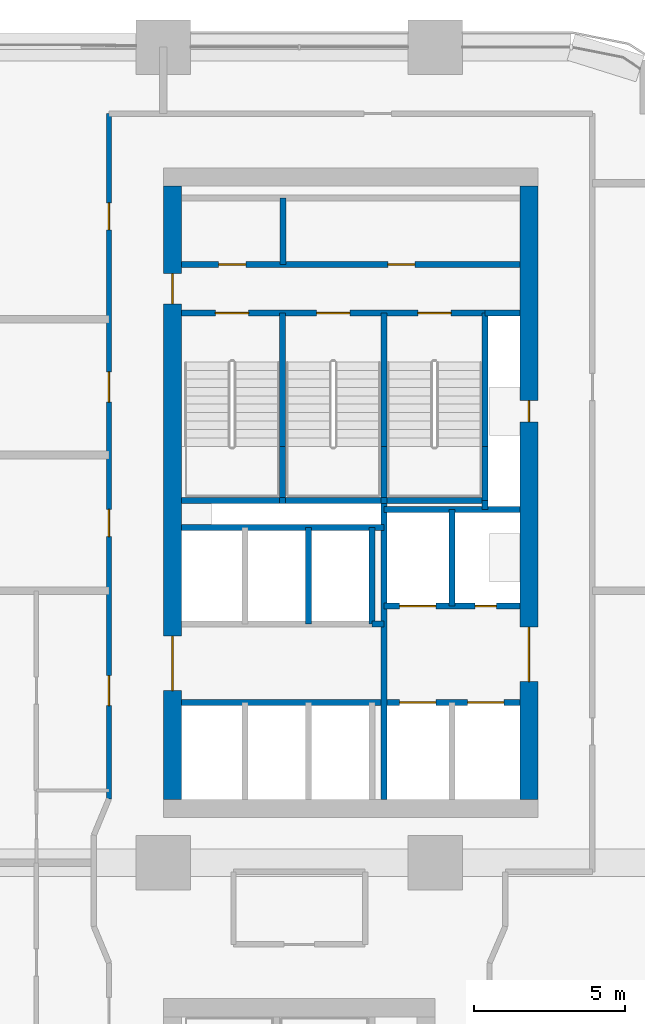
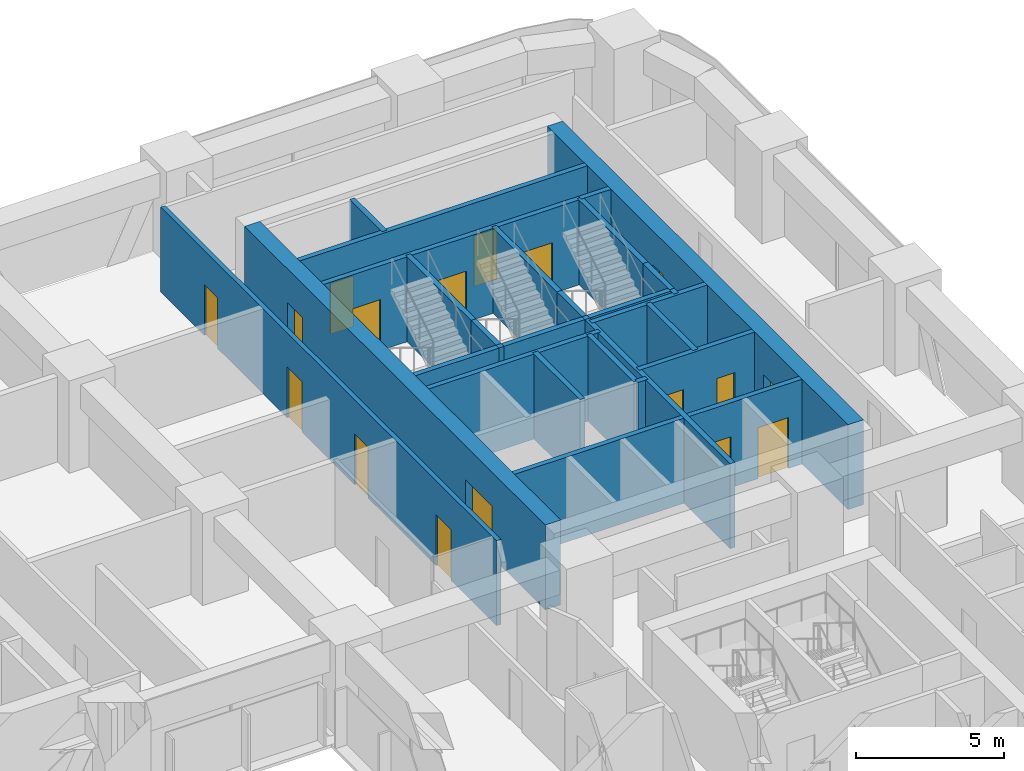
# One storey, part 15 of 18: 28 walls, 17 doors, 17 openings.
"""IFC4 building model written with IfcOpenShell, lengths in metres."""

import ifcopenshell
import ifcopenshell.guid

model = None  # the IFC model being written
_history = None  # IfcOwnerHistory: only IFC2X3 demands one
_inside = {}  # id of a spatial element -> (the spatial element, [elements in it])
_under = {}  # id of a project, library or spatial element -> (it, [spatial elements below it])
_declared = {}  # id of a project -> (the project, [libraries it declares])
_typed = {}  # id of a type object -> (the type object, [elements of that type])
_made_of = {}  # id of a material, layer set ... -> (it, [elements and type objects made of it])


def new_model(schema):
    """Start an empty IFC model of exactly this schema.

    Asked for "IFC4X3", IfcOpenShell would pick the latest addendum, in which some entities
    have other attributes; the version numbers below select the first issue.
    IFC2X3 requires an IfcOwnerHistory on every rooted entity: one is made here for all.
    """
    global model, _history
    if schema == "IFC4X3":
        model = ifcopenshell.file(schema_version=(4, 3, 0, 0))
    else:
        model = ifcopenshell.file(schema=schema)
    _inside.clear()
    _under.clear()
    _declared.clear()
    _typed.clear()
    _made_of.clear()
    _history = None
    if model.schema == "IFC2X3":
        org = make("IfcOrganization", Name="unknown")
        user = make(
            "IfcPersonAndOrganization",
            ThePerson=make("IfcPerson", FamilyName="unknown"),
            TheOrganization=org,
        )
        app = make(
            "IfcApplication",
            ApplicationDeveloper=org,
            Version="unknown",
            ApplicationFullName="unknown",
            ApplicationIdentifier="unknown",
        )
        _history = make(
            "IfcOwnerHistory",
            OwningUser=user,
            OwningApplication=app,
            ChangeAction="ADDED",
            CreationDate=0,
        )
    return model


def make(cls, **values):
    """One entity of the class cls with the attributes given. An attribute that is None is left unset."""
    return model.create_entity(
        cls, **{name: value for name, value in values.items() if value is not None}
    )


def rooted(cls, **values):
    """An entity with a GlobalId (a new one), such as an element, a storey or a relation."""
    return make(cls, GlobalId=ifcopenshell.guid.new(), OwnerHistory=_history, **values)


def si_unit(unit_type, name, prefix=None):
    """IfcSIUnit, for example si_unit("LENGTHUNIT", "METRE", prefix="MILLI")."""
    return make("IfcSIUnit", UnitType=unit_type, Prefix=prefix, Name=name)


def assignment(units):
    """IfcUnitAssignment: the units of a project."""
    return None if units is None else make("IfcUnitAssignment", Units=units)


def point(xyz):
    """IfcCartesianPoint."""
    return None if xyz is None else make("IfcCartesianPoint", Coordinates=xyz)


def direction(xyz):
    """IfcDirection."""
    return None if xyz is None else make("IfcDirection", DirectionRatios=xyz)


def frame(location, z_axis=None, x_axis=None):
    """IfcAxis2Placement3D, a coordinate frame: its origin and axes. An axis left out is left unset."""
    return make(
        "IfcAxis2Placement3D",
        Location=point(location),
        Axis=direction(z_axis),
        RefDirection=direction(x_axis),
    )


def frame_2d(location, x_axis=None):
    """IfcAxis2Placement2D, a coordinate frame in the plane: its origin and x axis."""
    return make(
        "IfcAxis2Placement2D", Location=point(location), RefDirection=direction(x_axis)
    )


def origin():
    """The frame at (0, 0, 0) with its axes left unset."""
    return frame((0.0, 0.0, 0.0))


def place(relative_to, where):
    """IfcLocalPlacement: puts the frame where relative to a parent placement (None: the world)."""
    return make(
        "IfcLocalPlacement", PlacementRelTo=relative_to, RelativePlacement=where
    )


def context(
    kind, dimensions, precision=None, world=None, true_north=None, identifier=None
):
    """IfcGeometricRepresentationContext, for example the 3D "Model" context."""
    return make(
        "IfcGeometricRepresentationContext",
        ContextIdentifier=identifier,
        ContextType=kind,
        CoordinateSpaceDimension=dimensions,
        Precision=precision,
        WorldCoordinateSystem=world,
        TrueNorth=true_north,
    )


def subcontext(parent, identifier, kind, view, scale=None):
    """IfcGeometricRepresentationSubContext, for example "Body" below "Model"."""
    return make(
        "IfcGeometricRepresentationSubContext",
        ContextIdentifier=identifier,
        ContextType=kind,
        ParentContext=parent,
        TargetScale=scale,
        TargetView=view,
    )


def project(units=None, contexts=None):
    """IfcProject with its units and contexts."""
    return rooted(
        "IfcProject",
        Name="project",
        RepresentationContexts=contexts,
        UnitsInContext=assignment(units),
    )


def spatial(cls, under=None, at=None, **own):
    """A site, building, storey or space (cls), placed at a placement, below another one or the project."""
    s = rooted(cls, ObjectPlacement=at, **own)
    if under is not None:
        _under.setdefault(under.id(), (under, []))[1].append(s)
    return s


def profile(cls, at=None, kind="AREA", **sizes):
    """A parametric profile (cls). Its sizes go by their IFC names, for example OverallWidth=200.0."""
    return make(cls, ProfileType=kind, Position=at, **sizes)


def rectangle(**sizes):
    """IfcRectangleProfileDef."""
    return profile("IfcRectangleProfileDef", **sizes)


def extrude(swept, where, along, depth):
    """IfcExtrudedAreaSolid: the profile swept, set in the frame where, extruded along a direction by depth."""
    return make(
        "IfcExtrudedAreaSolid",
        SweptArea=swept,
        Position=where,
        ExtrudedDirection=direction(along),
        Depth=depth,
    )


def shape(context_of_items, identifier, shape_type, items):
    """IfcShapeRepresentation: the items that make up one representation, for example the "Body"."""
    return make(
        "IfcShapeRepresentation",
        ContextOfItems=context_of_items,
        RepresentationIdentifier=identifier,
        RepresentationType=shape_type,
        Items=items,
    )


def material(Name=None, Category=None):
    """IfcMaterial."""
    return make("IfcMaterial", Name=Name, Category=Category)


def layer(
    of_material, thickness, ventilated=None, Name=None, Category=None, Priority=None
):
    """IfcMaterialLayer: one layer of a wall or slab, of a material (None: an air gap)."""
    return make(
        "IfcMaterialLayer",
        Material=of_material,
        LayerThickness=thickness,
        IsVentilated=ventilated,
        Name=Name,
        Category=Category,
        Priority=Priority,
    )


def layer_set(layers, Name=None):
    """IfcMaterialLayerSet."""
    return make("IfcMaterialLayerSet", MaterialLayers=layers, LayerSetName=Name)


def made_of(thing, what):
    """Note that an element or type object is made of a material, layer set ...; save() writes the relation."""
    if what is not None:
        _made_of.setdefault(what.id(), (what, []))[1].append(thing)
    return thing


def type_object(cls, material=None, **own):
    """A type object (cls), such as IfcWallType, which elements share."""
    return made_of(rooted(cls, **own), material)


def element(
    cls,
    number,
    at=None,
    inside=None,
    cuts=None,
    type_object=None,
    material=None,
    context=None,
    identifier="Body",
    shape_type=None,
    held_by="IfcProductDefinitionShape",
    body=None,
    shapes=None,
    **own,
):
    """One element of the class cls, such as IfcWall. Its Tag is "e" and its number.

    at: its placement. inside: the storey or other place that contains it. cuts: it is an
    opening in that element (IfcRelVoidsElement). A single representation is given by context,
    identifier, shape_type and body (its items); several are given by shapes. held_by: the class
    of the entity that holds the representations. save() writes the other relations.
    """
    e = rooted(cls, Tag="e%d" % number, ObjectPlacement=at, **own)
    if body is not None:
        shapes = [shape(context, identifier, shape_type, body)]
    if shapes is not None:
        e.Representation = make(held_by, Representations=shapes)
    if inside is not None:
        _inside.setdefault(inside.id(), (inside, []))[1].append(e)
    if cuts is not None:
        rooted(
            "IfcRelVoidsElement", RelatingBuildingElement=cuts, RelatedOpeningElement=e
        )
    if type_object is not None:
        _typed.setdefault(type_object.id(), (type_object, []))[1].append(e)
    return made_of(e, material)


def fill(opening, filler):
    """IfcRelFillsElement: the door or window that sits in an opening."""
    return rooted(
        "IfcRelFillsElement",
        RelatingOpeningElement=opening,
        RelatedBuildingElement=filler,
    )


def aggregate(whole, parts):
    """IfcRelAggregates: a whole, such as a stair, and the parts it consists of."""
    return rooted("IfcRelAggregates", RelatingObject=whole, RelatedObjects=parts)


def save(model, path):
    """Write the relations noted so far, then the file.

    IfcRelAggregates (storeys below a building ...), IfcRelContainedInSpatialStructure (elements
    in a storey), IfcRelDefinesByType, IfcRelAssociatesMaterial and IfcRelDeclares: one each for
    every whole, place, type object, material and project.
    """
    for whole, parts in _under.values():
        aggregate(whole, parts)
    for where, things in _inside.values():
        rooted(
            "IfcRelContainedInSpatialStructure",
            RelatedElements=things,
            RelatingStructure=where,
        )
    for kind, things in _typed.values():
        rooted("IfcRelDefinesByType", RelatedObjects=things, RelatingType=kind)
    for what, things in _made_of.values():
        rooted("IfcRelAssociatesMaterial", RelatedObjects=things, RelatingMaterial=what)
    for by, libraries in _declared.values():
        rooted("IfcRelDeclares", RelatingContext=by, RelatedDefinitions=libraries)
    model.write(path)


model = new_model("IFC4")

# Units and contexts
model_context = context("Model", 3, precision=1e-05, world=origin(), true_north=direction((0.0, 1.0)))
body_context = subcontext(model_context, "Body", "Model", "MODEL_VIEW")
ifc_project = project(units=[si_unit("LENGTHUNIT", "METRE"), si_unit("AREAUNIT", "SQUARE_METRE"), si_unit("VOLUMEUNIT", "CUBIC_METRE"), si_unit("PLANEANGLEUNIT", "RADIAN"), si_unit("MASSUNIT", "GRAM", prefix="KILO")], contexts=[model_context])

# Site, building, storey
site_placement = place(None, origin())
site = spatial("IfcSite", under=ifc_project, at=site_placement, CompositionType="ELEMENT")
building_placement = place(site_placement, origin())
building = spatial("IfcBuilding", under=site, at=building_placement, Name="Tessera Arch", CompositionType="ELEMENT")
storey_placement = place(building_placement, frame((0.0, 0.0, 104.39990234375)))
storey = spatial("IfcBuildingStorey", under=building, at=storey_placement, Name="L24", CompositionType="ELEMENT", Elevation=104.39990234375)

# Walls
ifc_material_1 = material(Name="Gypsum board on steel stud", Category="steel")
ifc_layer_1 = layer(ifc_material_1, 0.125)
ifc_layer_set_1 = layer_set([ifc_layer_1], Name="Core partition 125 EI 60")
wall_type_1 = type_object("IfcWallType", Name="Core partition 125 EI 60", PredefinedType="PARTITIONING", material=ifc_layer_set_1)
wall_1_placement = place(storey_placement, frame((39.9599609375, 46.800048828125, 0.0), z_axis=(0.0, 0.0, 1.0), x_axis=(0.0, 1.0, 0.0)))
element("IfcWall", 1, at=wall_1_placement, inside=storey, type_object=wall_type_1, Name="L24 C1 partition wall 5", PredefinedType="PARTITIONING", context=body_context, shape_type="SweptSolid", body=[
    extrude(rectangle(XDim=2.199951171875, YDim=0.199951171875, at=frame_2d((1.10009765625, 0.0))), origin(), (0.0, 0.0, 1.0), 3.5),
])
wall_2_placement = place(storey_placement, frame((42.89990234375, 34.89990234375, 0.0), z_axis=(0.0, 0.0, 1.0), x_axis=(1.0, 0.0, 0.0)))
element("IfcWall", 2, at=wall_2_placement, inside=storey, type_object=wall_type_1, Name="L24 C1 partition wall 19", PredefinedType="PARTITIONING", context=body_context, shape_type="SweptSolid", body=[
    extrude(rectangle(XDim=0.400146484375, YDim=0.199951171875, at=frame_2d((0.2001953125, 0.0))), origin(), (0.0, 0.0, 1.0), 3.5),
])

# Wall, openings, doors
wall_3_placement = place(storey_placement, frame((36.60009765625, 46.800048828125, 0.0), z_axis=(0.0, 0.0, 1.0), x_axis=(1.0, 0.0, 0.0)))
wall_3 = element("IfcWall", 3, at=wall_3_placement, inside=storey, type_object=wall_type_1, Name="L24 C1 partition wall 31", PredefinedType="PARTITIONING", context=body_context, shape_type="SweptSolid", body=[
    extrude(rectangle(XDim=11.199951171875, YDim=0.199951171875, at=frame_2d((5.60009765625, 0.0))), origin(), (0.0, 0.0, 1.0), 3.5),
])
opening_1_placement = place(wall_3_placement, frame((1.22998046875, 0.0, 0.0)))
opening_1 = element("IfcOpeningElement", 4, at=opening_1_placement, cuts=wall_3, Name="Opening L24-C12", PredefinedType="OPENING", context=body_context, shape_type="SweptSolid", body=[
    extrude(rectangle(XDim=0.89990234375, YDim=2.10009765625, at=frame_2d((0.449951171875, 1.050048828125))), frame((0.0, 0.10986328125, 0.0), z_axis=(0.0, -1.0, 0.0), x_axis=(1.0, 0.0, 0.0)), (0.0, 0.0, 1.0), 0.219970703125),
])
opening_2_placement = place(wall_3_placement, frame((6.830078125, 0.0, 0.0)))
opening_2 = element("IfcOpeningElement", 5, at=opening_2_placement, cuts=wall_3, Name="Opening L24-C13", PredefinedType="OPENING", context=body_context, shape_type="SweptSolid", body=[
    extrude(rectangle(XDim=0.89990234375, YDim=2.10009765625, at=frame_2d((0.449951171875, 1.050048828125))), frame((0.0, 0.10986328125, 0.0), z_axis=(0.0, -1.0, 0.0), x_axis=(1.0, 0.0, 0.0)), (0.0, 0.0, 1.0), 0.219970703125),
])
ifc_material_2 = material(Name="Steel door leaf", Category="steel")
door_type_1 = type_object("IfcDoorType", Name="Store door FD30S 900 x 2100", OperationType="SINGLE_SWING_LEFT", PredefinedType="DOOR", material=ifc_material_2)
door_1_placement = place(opening_1_placement, origin())
door_1 = element("IfcDoor", 6, at=door_1_placement, inside=storey, type_object=door_type_1, Name="L24 C1 door 12 C12 type D09", OperationType="SINGLE_SWING_LEFT", OverallHeight=2.10009765625, OverallWidth=0.89990234375, PredefinedType="DOOR", context=body_context, shape_type="SweptSolid", body=[
    extrude(rectangle(XDim=0.89990234375, YDim=2.10009765625, at=frame_2d((0.449951171875, 1.050048828125))), frame((0.0, 0.02490234375, 0.0), z_axis=(0.0, -1.0, 0.0), x_axis=(1.0, 0.0, 0.0)), (0.0, 0.0, 1.0), 0.050048828125),
])
fill(opening_1, door_1)
door_2_placement = place(opening_2_placement, origin())
door_2 = element("IfcDoor", 7, at=door_2_placement, inside=storey, type_object=door_type_1, Name="L24 C1 door 13 C13 type D09", OperationType="SINGLE_SWING_RIGHT", OverallHeight=2.10009765625, OverallWidth=0.89990234375, PredefinedType="DOOR", context=body_context, shape_type="SweptSolid", body=[
    extrude(rectangle(XDim=0.89990234375, YDim=2.10009765625, at=frame_2d((0.449951171875, 1.050048828125))), frame((0.0, 0.02490234375, 0.0), z_axis=(0.0, -1.0, 0.0), x_axis=(1.0, 0.0, 0.0)), (0.0, 0.0, 1.0), 0.050048828125),
])
fill(opening_2, door_2)

ifc_material_3 = material(Name="Concrete C70/85", Category="concrete")
ifc_layer_2 = layer(ifc_material_3, 0.60009765625)
ifc_layer_set_2 = layer_set([ifc_layer_2], Name="Core shell wall 600 C70-85")
wall_type_2 = type_object("IfcWallType", Name="Core shell wall 600 C70-85", PredefinedType="SHEAR", material=ifc_layer_set_2)
wall_4_placement = place(storey_placement, frame((36.300048828125, 29.10009765625, 0.0), z_axis=(0.0, 0.0, 1.0), x_axis=(0.0, 1.0, 0.0)))
wall_4 = element("IfcWall", 8, at=wall_4_placement, inside=storey, type_object=wall_type_2, Name="L24 C1 core wall W", PredefinedType="SHEAR", context=body_context, shape_type="SweptSolid", body=[
    extrude(rectangle(XDim=20.2998046875, YDim=0.60009765625, at=frame_2d((10.14990234375, 0.0))), origin(), (0.0, 0.0, 1.0), 3.5),
])
opening_3_placement = place(wall_4_placement, frame((3.60009765625, 0.0, 0.0)))
opening_3 = element("IfcOpeningElement", 9, at=opening_3_placement, cuts=wall_4, Name="Opening L24-C04", PredefinedType="OPENING", context=body_context, shape_type="SweptSolid", body=[
    extrude(rectangle(XDim=1.800048828125, YDim=2.10009765625, at=frame_2d((0.89990234375, 1.050048828125))), frame((0.0, 0.31005859375, 0.0), z_axis=(0.0, -1.0, 0.0), x_axis=(1.0, 0.0, 0.0)), (0.0, 0.0, 1.0), 0.6201171875),
])
opening_4_placement = place(wall_4_placement, frame((16.39990234375, 0.0, 0.0)))
opening_4 = element("IfcOpeningElement", 10, at=opening_4_placement, cuts=wall_4, Name="Opening L24-C11", PredefinedType="OPENING", context=body_context, shape_type="SweptSolid", body=[
    extrude(rectangle(XDim=1.0, YDim=2.10009765625, at=frame_2d((0.5, 1.050048828125))), frame((0.0, 0.31005859375, 0.0), z_axis=(0.0, -1.0, 0.0), x_axis=(1.0, 0.0, 0.0)), (0.0, 0.0, 1.0), 0.6201171875),
])
ifc_material_4 = material(Name="Steel door leaf", Category="steel")
door_type_2 = type_object("IfcDoorType", Name="Corridor door FD60 1000 x 2100", OperationType="SINGLE_SWING_LEFT", PredefinedType="DOOR", material=ifc_material_4)
door_3_placement = place(opening_4_placement, origin())
door_3 = element("IfcDoor", 11, at=door_3_placement, inside=storey, type_object=door_type_2, Name="L24 C1 door 11 C11 type D12", OperationType="SINGLE_SWING_RIGHT", OverallHeight=2.10009765625, OverallWidth=1.0, PredefinedType="DOOR", context=body_context, shape_type="SweptSolid", body=[
    extrude(rectangle(XDim=1.0, YDim=2.10009765625, at=frame_2d((0.5, 1.050048828125))), frame((0.0, 0.02490234375, 0.0), z_axis=(0.0, -1.0, 0.0), x_axis=(1.0, 0.0, 0.0)), (0.0, 0.0, 1.0), 0.050048828125),
])
fill(opening_4, door_3)
ifc_material_5 = material(Name="Glazed steel door leaf", Category="steel")
door_type_3 = type_object("IfcDoorType", Name="Lobby double door FD30S 1800 x 2100", OperationType="DOUBLE_DOOR_SINGLE_SWING", PredefinedType="DOOR", material=ifc_material_5)
door_4_placement = place(opening_3_placement, origin())
door_4 = element("IfcDoor", 12, at=door_4_placement, inside=storey, type_object=door_type_3, Name="L24 C1 door 4 C04 type D06", OperationType="DOUBLE_DOOR_SINGLE_SWING", OverallHeight=2.10009765625, OverallWidth=1.800048828125, PredefinedType="DOOR", context=body_context, shape_type="SweptSolid", body=[
    extrude(rectangle(XDim=1.800048828125, YDim=2.10009765625, at=frame_2d((0.89990234375, 1.050048828125))), frame((0.0, 0.02490234375, 0.0), z_axis=(0.0, -1.0, 0.0), x_axis=(1.0, 0.0, 0.0)), (0.0, 0.0, 1.0), 0.050048828125),
])
fill(opening_3, door_4)

wall_5_placement = place(storey_placement, frame((48.10009765625, 29.10009765625, 0.0), z_axis=(0.0, 0.0, 1.0), x_axis=(0.0, 1.0, 0.0)))
wall_5 = element("IfcWall", 13, at=wall_5_placement, inside=storey, type_object=wall_type_2, Name="L24 C1 core wall E", PredefinedType="SHEAR", context=body_context, shape_type="SweptSolid", body=[
    extrude(rectangle(XDim=20.2998046875, YDim=0.60009765625, at=frame_2d((10.14990234375, 0.0))), origin(), (0.0, 0.0, 1.0), 3.5),
])
opening_5_placement = place(wall_5_placement, frame((12.5, 0.0, 0.0)))
opening_5 = element("IfcOpeningElement", 14, at=opening_5_placement, cuts=wall_5, Name="Opening L24-C08", PredefinedType="OPENING", context=body_context, shape_type="SweptSolid", body=[
    extrude(rectangle(XDim=0.699951171875, YDim=2.10009765625, at=frame_2d((0.35009765625, 1.050048828125))), frame((0.0, 0.31005859375, 0.0), z_axis=(0.0, -1.0, 0.0), x_axis=(1.0, 0.0, 0.0)), (0.0, 0.0, 1.0), 0.6201171875),
])
opening_6_placement = place(wall_5_placement, frame((3.89990234375, 0.0, 0.0)))
opening_6 = element("IfcOpeningElement", 15, at=opening_6_placement, cuts=wall_5, Name="Opening L24-C09", PredefinedType="OPENING", context=body_context, shape_type="SweptSolid", body=[
    extrude(rectangle(XDim=1.800048828125, YDim=2.10009765625, at=frame_2d((0.89990234375, 1.050048828125))), frame((0.0, 0.31005859375, 0.0), z_axis=(0.0, -1.0, 0.0), x_axis=(1.0, 0.0, 0.0)), (0.0, 0.0, 1.0), 0.6201171875),
])
ifc_material_6 = material(Name="Glazed steel door leaf", Category="steel")
door_type_4 = type_object("IfcDoorType", Name="Lobby double door FD60 1800 x 2100", OperationType="DOUBLE_DOOR_SINGLE_SWING", PredefinedType="DOOR", material=ifc_material_6)
door_5_placement = place(opening_6_placement, origin())
door_5 = element("IfcDoor", 16, at=door_5_placement, inside=storey, type_object=door_type_4, Name="L24 C1 door 9 C09 type D19", OperationType="DOUBLE_DOOR_SINGLE_SWING", OverallHeight=2.10009765625, OverallWidth=1.800048828125, PredefinedType="DOOR", context=body_context, shape_type="SweptSolid", body=[
    extrude(rectangle(XDim=1.800048828125, YDim=2.10009765625, at=frame_2d((0.89990234375, 1.050048828125))), frame((0.0, 0.02490234375, 0.0), z_axis=(0.0, -1.0, 0.0), x_axis=(1.0, 0.0, 0.0)), (0.0, 0.0, 1.0), 0.050048828125),
])
fill(opening_6, door_5)
ifc_material_7 = material(Name="Steel door leaf", Category="steel")
door_type_5 = type_object("IfcDoorType", Name="Service shaft door FD60 700 x 2100", OperationType="SINGLE_SWING_LEFT", PredefinedType="DOOR", material=ifc_material_7)
door_6_placement = place(opening_5_placement, origin())
door_6 = element("IfcDoor", 17, at=door_6_placement, inside=storey, type_object=door_type_5, Name="L24 C1 door 8 C08 type D07", OperationType="SINGLE_SWING_RIGHT", OverallHeight=2.10009765625, OverallWidth=0.699951171875, PredefinedType="DOOR", context=body_context, shape_type="SweptSolid", body=[
    extrude(rectangle(XDim=0.699951171875, YDim=2.10009765625, at=frame_2d((0.35009765625, 1.050048828125))), frame((0.0, 0.02490234375, 0.0), z_axis=(0.0, -1.0, 0.0), x_axis=(1.0, 0.0, 0.0)), (0.0, 0.0, 1.0), 0.050048828125),
])
fill(opening_5, door_6)

ifc_material_8 = material(Name="Gypsum board on deep steel stud with mineral wool", Category="steel")
ifc_layer_3 = layer(ifc_material_8, 0.175048828125)
ifc_layer_set_3 = layer_set([ifc_layer_3], Name="Corridor wall 175 EI 60")
wall_type_3 = type_object("IfcWallType", Name="Corridor wall 175 EI 60", PredefinedType="PARTITIONING", material=ifc_layer_set_3)
wall_6_placement = place(storey_placement, frame((34.199951171875, 29.1201171875, 0.0), z_axis=(0.0, 0.0, 1.0), x_axis=(0.0, 1.0, 0.0)))
wall_6 = element("IfcWall", 18, at=wall_6_placement, inside=storey, type_object=wall_type_3, Name="L24 partition 13", PredefinedType="PARTITIONING", context=body_context, shape_type="SweptSolid", body=[
    extrude(rectangle(XDim=22.679931640625, YDim=0.175048828125, at=frame_2d((11.33984375, 0.0))), origin(), (0.0, 0.0, 1.0), 3.5),
])
opening_7_placement = place(wall_6_placement, frame((3.080078125, 0.0, 0.0)))
opening_7 = element("IfcOpeningElement", 19, at=opening_7_placement, cuts=wall_6, Name="Opening L24-D022", PredefinedType="OPENING", context=body_context, shape_type="SweptSolid", body=[
    extrude(rectangle(XDim=1.0, YDim=2.10009765625, at=frame_2d((0.5, 1.050048828125))), frame((0.0, 0.097412109375, 0.0), z_axis=(0.0, -1.0, 0.0), x_axis=(1.0, 0.0, 0.0)), (0.0, 0.0, 1.0), 0.195068359375),
])
opening_8_placement = place(wall_6_placement, frame((8.679931640625, 0.0, 0.0)))
opening_8 = element("IfcOpeningElement", 20, at=opening_8_placement, cuts=wall_6, Name="Opening L24-D025", PredefinedType="OPENING", context=body_context, shape_type="SweptSolid", body=[
    extrude(rectangle(XDim=0.89990234375, YDim=2.10009765625, at=frame_2d((0.449951171875, 1.050048828125))), frame((0.0, 0.097412109375, 0.0), z_axis=(0.0, -1.0, 0.0), x_axis=(1.0, 0.0, 0.0)), (0.0, 0.0, 1.0), 0.195068359375),
])
opening_9_placement = place(wall_6_placement, frame((13.1298828125, 0.0, 0.0)))
opening_9 = element("IfcOpeningElement", 21, at=opening_9_placement, cuts=wall_6, Name="Opening L24-D028", PredefinedType="OPENING", context=body_context, shape_type="SweptSolid", body=[
    extrude(rectangle(XDim=1.0, YDim=2.10009765625, at=frame_2d((0.5, 1.050048828125))), frame((0.0, 0.097412109375, 0.0), z_axis=(0.0, -1.0, 0.0), x_axis=(1.0, 0.0, 0.0)), (0.0, 0.0, 1.0), 0.195068359375),
])
opening_10_placement = place(wall_6_placement, frame((18.830078125, 0.0, 0.0)))
opening_10 = element("IfcOpeningElement", 22, at=opening_10_placement, cuts=wall_6, Name="Opening L24-D032", PredefinedType="OPENING", context=body_context, shape_type="SweptSolid", body=[
    extrude(rectangle(XDim=0.89990234375, YDim=2.10009765625, at=frame_2d((0.449951171875, 1.050048828125))), frame((0.0, 0.097412109375, 0.0), z_axis=(0.0, -1.0, 0.0), x_axis=(1.0, 0.0, 0.0)), (0.0, 0.0, 1.0), 0.195068359375),
])
ifc_material_9 = material(Name="Fire-rated door leaf")
door_type_6 = type_object("IfcDoorType", Name="Entrance door FD30S 1000 x 2100", OperationType="SINGLE_SWING_LEFT", PredefinedType="DOOR", material=ifc_material_9)
door_7_placement = place(opening_7_placement, origin())
door_7 = element("IfcDoor", 23, at=door_7_placement, inside=storey, type_object=door_type_6, Name="L24 door D022 type D03", OperationType="SINGLE_SWING_RIGHT", OverallHeight=2.10009765625, OverallWidth=1.0, PredefinedType="DOOR", context=body_context, shape_type="SweptSolid", body=[
    extrude(rectangle(XDim=1.0, YDim=2.10009765625, at=frame_2d((0.5, 1.050048828125))), frame((0.0, 0.02490234375, 0.0), z_axis=(0.0, -1.0, 0.0), x_axis=(1.0, 0.0, 0.0)), (0.0, 0.0, 1.0), 0.050048828125),
])
fill(opening_7, door_7)
door_8_placement = place(opening_9_placement, origin())
door_8 = element("IfcDoor", 24, at=door_8_placement, inside=storey, type_object=door_type_6, Name="L24 door D028 type D03", OperationType="SINGLE_SWING_RIGHT", OverallHeight=2.10009765625, OverallWidth=1.0, PredefinedType="DOOR", context=body_context, shape_type="SweptSolid", body=[
    extrude(rectangle(XDim=1.0, YDim=2.10009765625, at=frame_2d((0.5, 1.050048828125))), frame((0.0, 0.02490234375, 0.0), z_axis=(0.0, -1.0, 0.0), x_axis=(1.0, 0.0, 0.0)), (0.0, 0.0, 1.0), 0.050048828125),
])
fill(opening_9, door_8)
ifc_material_10 = material(Name="Timber door leaf", Category="wood")
door_type_7 = type_object("IfcDoorType", Name="Room door 900 x 2100", OperationType="SINGLE_SWING_LEFT", PredefinedType="DOOR", material=ifc_material_10)
door_9_placement = place(opening_8_placement, origin())
door_9 = element("IfcDoor", 25, at=door_9_placement, inside=storey, type_object=door_type_7, Name="L24 door D025 type D01", OperationType="SINGLE_SWING_LEFT", OverallHeight=2.10009765625, OverallWidth=0.89990234375, PredefinedType="DOOR", context=body_context, shape_type="SweptSolid", body=[
    extrude(rectangle(XDim=0.89990234375, YDim=2.10009765625, at=frame_2d((0.449951171875, 1.050048828125))), frame((0.0, 0.02490234375, 0.0), z_axis=(0.0, -1.0, 0.0), x_axis=(1.0, 0.0, 0.0)), (0.0, 0.0, 1.0), 0.050048828125),
])
fill(opening_8, door_9)
door_10_placement = place(opening_10_placement, origin())
door_10 = element("IfcDoor", 26, at=door_10_placement, inside=storey, type_object=door_type_7, Name="L24 door D032 type D01", OperationType="SINGLE_SWING_RIGHT", OverallHeight=2.10009765625, OverallWidth=0.89990234375, PredefinedType="DOOR", context=body_context, shape_type="SweptSolid", body=[
    extrude(rectangle(XDim=0.89990234375, YDim=2.10009765625, at=frame_2d((0.449951171875, 1.050048828125))), frame((0.0, 0.02490234375, 0.0), z_axis=(0.0, -1.0, 0.0), x_axis=(1.0, 0.0, 0.0)), (0.0, 0.0, 1.0), 0.050048828125),
])
fill(opening_10, door_10)

# Walls
ifc_material_11 = material(Name="Concrete C40/50", Category="concrete")
ifc_layer_4 = layer(ifc_material_11, 0.199951171875)
ifc_layer_set_4 = layer_set([ifc_layer_4], Name="Shaft wall 200 EI 120")
wall_type_4 = type_object("IfcWallType", Name="Shaft wall 200 EI 120", PredefinedType="SOLIDWALL", material=ifc_layer_set_4)
for number, where, z_axis, x_axis, name in (
    (27, (40.800048828125, 34.89990234375, 0.0), (0.0, 0.0, 1.0), (0.0, 1.0, 0.0), "L24 C1 shaft wall 7"),
    (28, (42.89990234375, 34.89990234375, 0.0), (0.0, 0.0, 1.0), (0.0, 1.0, 0.0), "L24 C1 shaft wall 9"),
):
    element("IfcWall", number, at=place(storey_placement, frame(where, z_axis=z_axis, x_axis=x_axis)), inside=storey, type_object=wall_type_4, Name=name, PredefinedType="SOLIDWALL", context=body_context, shape_type="SweptSolid", body=[
        extrude(rectangle(XDim=3.2001953125, YDim=0.199951171875, at=frame_2d((1.60009765625, 0.0))), origin(), (0.0, 0.0, 1.0), 3.5),
    ])
wall_7_placement = place(storey_placement, frame((43.300048828125, 29.10009765625, 0.0), z_axis=(0.0, 0.0, 1.0), x_axis=(0.0, 1.0, 0.0)))
element("IfcWall", 29, at=wall_7_placement, inside=storey, type_object=wall_type_4, Name="L24 C1 shaft wall 10", PredefinedType="SOLIDWALL", context=body_context, shape_type="SweptSolid", body=[
    extrude(rectangle(XDim=9.89990234375, YDim=0.199951171875, at=frame_2d((4.949951171875, 0.0))), origin(), (0.0, 0.0, 1.0), 3.5),
])
wall_8_placement = place(storey_placement, frame((45.550048828125, 35.5, 0.0), z_axis=(0.0, 0.0, 1.0), x_axis=(0.0, 1.0, 0.0)))
element("IfcWall", 30, at=wall_8_placement, inside=storey, type_object=wall_type_4, Name="L24 C1 shaft wall 14", PredefinedType="SOLIDWALL", context=body_context, shape_type="SweptSolid", body=[
    extrude(rectangle(XDim=3.199951171875, YDim=0.199951171875, at=frame_2d((1.60009765625, 0.0))), origin(), (0.0, 0.0, 1.0), 3.5),
])
wall_9_placement = place(storey_placement, frame((46.64990234375, 38.699951171875, 0.0), z_axis=(0.0, 0.0, 1.0), x_axis=(0.0, 1.0, 0.0)))
element("IfcWall", 31, at=wall_9_placement, inside=storey, type_object=wall_type_4, Name="L24 C1 shaft wall 15", PredefinedType="SOLIDWALL", context=body_context, shape_type="SweptSolid", body=[
    extrude(rectangle(XDim=0.300048828125, YDim=0.199951171875, at=frame_2d((0.14990234375, 0.0))), origin(), (0.0, 0.0, 1.0), 3.5),
])

# Wall, openings, doors
wall_10_placement = place(storey_placement, frame((36.60009765625, 32.300048828125, 0.0), z_axis=(0.0, 0.0, 1.0), x_axis=(1.0, 0.0, 0.0)))
wall_10 = element("IfcWall", 32, at=wall_10_placement, inside=storey, type_object=wall_type_4, Name="L24 C1 shaft wall 18", PredefinedType="SOLIDWALL", context=body_context, shape_type="SweptSolid", body=[
    extrude(rectangle(XDim=11.199951171875, YDim=0.199951171875, at=frame_2d((5.60009765625, 0.0))), origin(), (0.0, 0.0, 1.0), 3.5),
])
opening_11_placement = place(wall_10_placement, frame((7.22509765625, 0.0, 0.0)))
opening_11 = element("IfcOpeningElement", 33, at=opening_11_placement, cuts=wall_10, Name="Opening L24-C01", PredefinedType="OPENING", context=body_context, shape_type="SweptSolid", body=[
    extrude(rectangle(XDim=1.199951171875, YDim=2.10009765625, at=frame_2d((0.60009765625, 1.050048828125))), frame((0.0, 0.10986328125, 0.0), z_axis=(0.0, -1.0, 0.0), x_axis=(1.0, 0.0, 0.0)), (0.0, 0.0, 1.0), 0.219970703125),
])
opening_12_placement = place(wall_10_placement, frame((9.47509765625, 0.0, 0.0)))
opening_12 = element("IfcOpeningElement", 34, at=opening_12_placement, cuts=wall_10, Name="Opening L24-C02", PredefinedType="OPENING", context=body_context, shape_type="SweptSolid", body=[
    extrude(rectangle(XDim=1.199951171875, YDim=2.10009765625, at=frame_2d((0.60009765625, 1.050048828125))), frame((0.0, 0.10986328125, 0.0), z_axis=(0.0, -1.0, 0.0), x_axis=(1.0, 0.0, 0.0)), (0.0, 0.0, 1.0), 0.219970703125),
])
ifc_material_12 = material(Name="Stainless steel AISI 304", Category="steel")
door_type_8 = type_object("IfcDoorType", Name="Sliding landing door 1200 x 2100", OperationType="SLIDING_TO_LEFT", PredefinedType="DOOR", material=ifc_material_12)
door_11_placement = place(opening_11_placement, origin())
door_11 = element("IfcDoor", 35, at=door_11_placement, inside=storey, type_object=door_type_8, Name="L24 FF1 lift landing door C01 type LD", OperationType="SLIDING_TO_LEFT", OverallHeight=2.10009765625, OverallWidth=1.199951171875, PredefinedType="DOOR", context=body_context, shape_type="SweptSolid", body=[
    extrude(rectangle(XDim=1.199951171875, YDim=2.10009765625, at=frame_2d((0.60009765625, 1.050048828125))), frame((0.0, 0.02490234375, 0.0), z_axis=(0.0, -1.0, 0.0), x_axis=(1.0, 0.0, 0.0)), (0.0, 0.0, 1.0), 0.050048828125),
])
fill(opening_11, door_11)
door_12_placement = place(opening_12_placement, origin())
door_12 = element("IfcDoor", 36, at=door_12_placement, inside=storey, type_object=door_type_8, Name="L24 FF2 lift landing door C02 type LD", OperationType="SLIDING_TO_LEFT", OverallHeight=2.10009765625, OverallWidth=1.199951171875, PredefinedType="DOOR", context=body_context, shape_type="SweptSolid", body=[
    extrude(rectangle(XDim=1.199951171875, YDim=2.10009765625, at=frame_2d((0.60009765625, 1.050048828125))), frame((0.0, 0.02490234375, 0.0), z_axis=(0.0, -1.0, 0.0), x_axis=(1.0, 0.0, 0.0)), (0.0, 0.0, 1.0), 0.050048828125),
])
fill(opening_12, door_12)

wall_11_placement = place(storey_placement, frame((43.300048828125, 35.5, 0.0), z_axis=(0.0, 0.0, 1.0), x_axis=(1.0, 0.0, 0.0)))
wall_11 = element("IfcWall", 37, at=wall_11_placement, inside=storey, type_object=wall_type_4, Name="L24 C1 shaft wall 21", PredefinedType="SOLIDWALL", context=body_context, shape_type="SweptSolid", body=[
    extrude(rectangle(XDim=4.5, YDim=0.199951171875, at=frame_2d((2.25, 0.0))), origin(), (0.0, 0.0, 1.0), 3.5),
])
opening_13_placement = place(wall_11_placement, frame((0.52490234375, 0.0, 0.0)))
opening_13 = element("IfcOpeningElement", 38, at=opening_13_placement, cuts=wall_11, Name="Opening L24-C03", PredefinedType="OPENING", context=body_context, shape_type="SweptSolid", body=[
    extrude(rectangle(XDim=1.199951171875, YDim=2.10009765625, at=frame_2d((0.60009765625, 1.050048828125))), frame((0.0, 0.10986328125, 0.0), z_axis=(0.0, -1.0, 0.0), x_axis=(1.0, 0.0, 0.0)), (0.0, 0.0, 1.0), 0.219970703125),
])
opening_14_placement = place(wall_11_placement, frame((3.02490234375, 0.0, 0.0)))
opening_14 = element("IfcOpeningElement", 39, at=opening_14_placement, cuts=wall_11, Name="Opening L24-C10", PredefinedType="OPENING", context=body_context, shape_type="SweptSolid", body=[
    extrude(rectangle(XDim=0.699951171875, YDim=2.10009765625, at=frame_2d((0.35009765625, 1.050048828125))), frame((0.0, 0.10986328125, 0.0), z_axis=(0.0, -1.0, 0.0), x_axis=(1.0, 0.0, 0.0)), (0.0, 0.0, 1.0), 0.219970703125),
])
door_13_placement = place(opening_14_placement, origin())
door_13 = element("IfcDoor", 40, at=door_13_placement, inside=storey, type_object=door_type_5, Name="L24 C1 door 10 C10 type D07", OperationType="SINGLE_SWING_RIGHT", OverallHeight=2.10009765625, OverallWidth=0.699951171875, PredefinedType="DOOR", context=body_context, shape_type="SweptSolid", body=[
    extrude(rectangle(XDim=0.699951171875, YDim=2.10009765625, at=frame_2d((0.35009765625, 1.050048828125))), frame((0.0, 0.02490234375, 0.0), z_axis=(0.0, -1.0, 0.0), x_axis=(1.0, 0.0, 0.0)), (0.0, 0.0, 1.0), 0.050048828125),
])
fill(opening_14, door_13)
door_14_placement = place(opening_13_placement, origin())
door_14 = element("IfcDoor", 41, at=door_14_placement, inside=storey, type_object=door_type_8, Name="L24 SV2 lift landing door C03 type LD", OperationType="SLIDING_TO_LEFT", OverallHeight=2.10009765625, OverallWidth=1.199951171875, PredefinedType="DOOR", context=body_context, shape_type="SweptSolid", body=[
    extrude(rectangle(XDim=1.199951171875, YDim=2.10009765625, at=frame_2d((0.60009765625, 1.050048828125))), frame((0.0, 0.02490234375, 0.0), z_axis=(0.0, -1.0, 0.0), x_axis=(1.0, 0.0, 0.0)), (0.0, 0.0, 1.0), 0.050048828125),
])
fill(opening_13, door_14)

# Walls
wall_12_placement = place(storey_placement, frame((36.60009765625, 38.10009765625, 0.0), z_axis=(0.0, 0.0, 1.0), x_axis=(1.0, 0.0, 0.0)))
element("IfcWall", 42, at=wall_12_placement, inside=storey, type_object=wall_type_4, Name="L24 C1 shaft wall 22", PredefinedType="SOLIDWALL", context=body_context, shape_type="SweptSolid", body=[
    extrude(rectangle(XDim=6.699951171875, YDim=0.199951171875, at=frame_2d((3.35009765625, 0.0))), origin(), (0.0, 0.0, 1.0), 3.5),
])
wall_13_placement = place(storey_placement, frame((43.300048828125, 38.699951171875, 0.0), z_axis=(0.0, 0.0, 1.0), x_axis=(1.0, 0.0, 0.0)))
element("IfcWall", 43, at=wall_13_placement, inside=storey, type_object=wall_type_4, Name="L24 C1 shaft wall 23", PredefinedType="SOLIDWALL", context=body_context, shape_type="SweptSolid", body=[
    extrude(rectangle(XDim=4.5, YDim=0.199951171875, at=frame_2d((2.25, 0.0))), origin(), (0.0, 0.0, 1.0), 3.5),
])
wall_14_placement = place(storey_placement, frame((46.64990234375, 45.199951171875, 0.0), z_axis=(0.0, 0.0, 1.0), x_axis=(1.0, 0.0, 0.0)))
element("IfcWall", 44, at=wall_14_placement, inside=storey, type_object=wall_type_4, Name="L24 C1 shaft wall 29", PredefinedType="SOLIDWALL", context=body_context, shape_type="SweptSolid", body=[
    extrude(rectangle(XDim=1.150146484375, YDim=0.199951171875, at=frame_2d((0.5751953125, 0.0))), origin(), (0.0, 0.0, 1.0), 3.5),
])
ifc_material_13 = material(Name="Concrete C40/50", Category="concrete")
ifc_layer_5 = layer(ifc_material_13, 0.199951171875)
ifc_layer_set_5 = layer_set([ifc_layer_5], Name="Stair well wall 200 REI 180")
wall_type_5 = type_object("IfcWallType", Name="Stair well wall 200 REI 180", PredefinedType="SOLIDWALL", material=ifc_layer_set_5)
wall_15_placement = place(storey_placement, frame((39.949951171875, 39.0, 0.0), z_axis=(0.0, 0.0, 1.0), x_axis=(0.0, 1.0, 0.0)))
element("IfcWall", 45, at=wall_15_placement, inside=storey, type_object=wall_type_5, Name="L24 C1 shaft wall 3", PredefinedType="SOLIDWALL", context=body_context, shape_type="SweptSolid", body=[
    extrude(rectangle(XDim=1.780029296875, YDim=0.199951171875, at=frame_2d((0.89013671875, 0.0))), origin(), (0.0, 0.0, 1.0), 3.5),
])
wall_16_placement = place(storey_placement, frame((39.949951171875, 40.780029296875, 0.0), z_axis=(0.0, 0.0, 1.0), x_axis=(0.0, 1.0, 0.0)))
element("IfcWall", 46, at=wall_16_placement, inside=storey, type_object=wall_type_5, Name="L24 C1 shaft wall 4", PredefinedType="SOLIDWALL", context=body_context, shape_type="SweptSolid", body=[
    extrude(rectangle(XDim=4.419921875, YDim=0.199951171875, at=frame_2d((2.2099609375, 0.0))), origin(), (0.0, 0.0, 1.0), 3.5),
])
wall_17_placement = place(storey_placement, frame((43.300048828125, 39.0, 0.0), z_axis=(0.0, 0.0, 1.0), x_axis=(0.0, 1.0, 0.0)))
element("IfcWall", 47, at=wall_17_placement, inside=storey, type_object=wall_type_5, Name="L24 C1 shaft wall 11", PredefinedType="SOLIDWALL", context=body_context, shape_type="SweptSolid", body=[
    extrude(rectangle(XDim=1.780029296875, YDim=0.199951171875, at=frame_2d((0.89013671875, 0.0))), origin(), (0.0, 0.0, 1.0), 3.5),
])
wall_18_placement = place(storey_placement, frame((43.300048828125, 40.780029296875, 0.0), z_axis=(0.0, 0.0, 1.0), x_axis=(0.0, 1.0, 0.0)))
element("IfcWall", 48, at=wall_18_placement, inside=storey, type_object=wall_type_5, Name="L24 C1 shaft wall 12", PredefinedType="SOLIDWALL", context=body_context, shape_type="SweptSolid", body=[
    extrude(rectangle(XDim=4.419921875, YDim=0.199951171875, at=frame_2d((2.2099609375, 0.0))), origin(), (0.0, 0.0, 1.0), 3.5),
])
wall_19_placement = place(storey_placement, frame((46.64990234375, 39.0, 0.0), z_axis=(0.0, 0.0, 1.0), x_axis=(0.0, 1.0, 0.0)))
element("IfcWall", 49, at=wall_19_placement, inside=storey, type_object=wall_type_5, Name="L24 C1 shaft wall 16", PredefinedType="SOLIDWALL", context=body_context, shape_type="SweptSolid", body=[
    extrude(rectangle(XDim=1.780029296875, YDim=0.199951171875, at=frame_2d((0.89013671875, 0.0))), origin(), (0.0, 0.0, 1.0), 3.5),
])
wall_20_placement = place(storey_placement, frame((46.64990234375, 40.780029296875, 0.0), z_axis=(0.0, 0.0, 1.0), x_axis=(0.0, 1.0, 0.0)))
element("IfcWall", 50, at=wall_20_placement, inside=storey, type_object=wall_type_5, Name="L24 C1 shaft wall 17", PredefinedType="SOLIDWALL", context=body_context, shape_type="SweptSolid", body=[
    extrude(rectangle(XDim=4.419921875, YDim=0.199951171875, at=frame_2d((2.2099609375, 0.0))), origin(), (0.0, 0.0, 1.0), 3.5),
])
wall_21_placement = place(storey_placement, frame((36.60009765625, 39.0, 0.0), z_axis=(0.0, 0.0, 1.0), x_axis=(1.0, 0.0, 0.0)))
element("IfcWall", 51, at=wall_21_placement, inside=storey, type_object=wall_type_5, Name="L24 C1 shaft wall 24", PredefinedType="SOLIDWALL", context=body_context, shape_type="SweptSolid", body=[
    extrude(rectangle(XDim=3.25, YDim=0.199951171875, at=frame_2d((1.625, 0.0))), origin(), (0.0, 0.0, 1.0), 3.5),
])
wall_22_placement = place(storey_placement, frame((39.85009765625, 39.0, 0.0), z_axis=(0.0, 0.0, 1.0), x_axis=(1.0, 0.0, 0.0)))
element("IfcWall", 52, at=wall_22_placement, inside=storey, type_object=wall_type_5, Name="L24 C1 shaft wall 25", PredefinedType="SOLIDWALL", context=body_context, shape_type="SweptSolid", body=[
    extrude(rectangle(XDim=0.199951171875, YDim=0.199951171875, at=frame_2d((0.10009765625, 0.0))), origin(), (0.0, 0.0, 1.0), 3.5),
])
wall_23_placement = place(storey_placement, frame((40.050048828125, 39.0, 0.0), z_axis=(0.0, 0.0, 1.0), x_axis=(1.0, 0.0, 0.0)))
element("IfcWall", 53, at=wall_23_placement, inside=storey, type_object=wall_type_5, Name="L24 C1 shaft wall 26", PredefinedType="SOLIDWALL", context=body_context, shape_type="SweptSolid", body=[
    extrude(rectangle(XDim=3.14990234375, YDim=0.199951171875, at=frame_2d((1.574951171875, 0.0))), origin(), (0.0, 0.0, 1.0), 3.5),
])
wall_24_placement = place(storey_placement, frame((43.199951171875, 39.0, 0.0), z_axis=(0.0, 0.0, 1.0), x_axis=(1.0, 0.0, 0.0)))
element("IfcWall", 54, at=wall_24_placement, inside=storey, type_object=wall_type_5, Name="L24 C1 shaft wall 27", PredefinedType="SOLIDWALL", context=body_context, shape_type="SweptSolid", body=[
    extrude(rectangle(XDim=0.199951171875, YDim=0.199951171875, at=frame_2d((0.10009765625, 0.0))), origin(), (0.0, 0.0, 1.0), 3.5),
])
wall_25_placement = place(storey_placement, frame((43.39990234375, 39.0, 0.0), z_axis=(0.0, 0.0, 1.0), x_axis=(1.0, 0.0, 0.0)))
element("IfcWall", 55, at=wall_25_placement, inside=storey, type_object=wall_type_5, Name="L24 C1 shaft wall 28", PredefinedType="SOLIDWALL", context=body_context, shape_type="SweptSolid", body=[
    extrude(rectangle(XDim=3.25, YDim=0.199951171875, at=frame_2d((1.625, 0.0))), origin(), (0.0, 0.0, 1.0), 3.5),
])

# Wall, openings, doors
wall_26_placement = place(storey_placement, frame((36.60009765625, 45.199951171875, 0.0), z_axis=(0.0, 0.0, 1.0), x_axis=(1.0, 0.0, 0.0)))
wall_26 = element("IfcWall", 56, at=wall_26_placement, inside=storey, type_object=wall_type_5, Name="L24 C1 shaft wall 30", PredefinedType="SOLIDWALL", context=body_context, shape_type="SweptSolid", body=[
    extrude(rectangle(XDim=10.0498046875, YDim=0.199951171875, at=frame_2d((5.02490234375, 0.0))), origin(), (0.0, 0.0, 1.0), 3.5),
])
opening_15_placement = place(wall_26_placement, frame((1.125, 0.0, 0.0)))
opening_15 = element("IfcOpeningElement", 57, at=opening_15_placement, cuts=wall_26, Name="Opening L24-C05", PredefinedType="OPENING", context=body_context, shape_type="SweptSolid", body=[
    extrude(rectangle(XDim=1.10009765625, YDim=2.10009765625, at=frame_2d((0.550048828125, 1.050048828125))), frame((0.0, 0.10986328125, 0.0), z_axis=(0.0, -1.0, 0.0), x_axis=(1.0, 0.0, 0.0)), (0.0, 0.0, 1.0), 0.219970703125),
])
opening_16_placement = place(wall_26_placement, frame((4.47509765625, 0.0, 0.0)))
opening_16 = element("IfcOpeningElement", 58, at=opening_16_placement, cuts=wall_26, Name="Opening L24-C06", PredefinedType="OPENING", context=body_context, shape_type="SweptSolid", body=[
    extrude(rectangle(XDim=1.10009765625, YDim=2.10009765625, at=frame_2d((0.550048828125, 1.050048828125))), frame((0.0, 0.10986328125, 0.0), z_axis=(0.0, -1.0, 0.0), x_axis=(1.0, 0.0, 0.0)), (0.0, 0.0, 1.0), 0.219970703125),
])
opening_17_placement = place(wall_26_placement, frame((7.824951171875, 0.0, 0.0)))
opening_17 = element("IfcOpeningElement", 59, at=opening_17_placement, cuts=wall_26, Name="Opening L24-C07", PredefinedType="OPENING", context=body_context, shape_type="SweptSolid", body=[
    extrude(rectangle(XDim=1.10009765625, YDim=2.10009765625, at=frame_2d((0.550048828125, 1.050048828125))), frame((0.0, 0.10986328125, 0.0), z_axis=(0.0, -1.0, 0.0), x_axis=(1.0, 0.0, 0.0)), (0.0, 0.0, 1.0), 0.219970703125),
])
ifc_material_14 = material(Name="Steel door leaf", Category="steel")
door_type_9 = type_object("IfcDoorType", Name="Stair door FD60 1100 x 2100", OperationType="SINGLE_SWING_LEFT", PredefinedType="DOOR", material=ifc_material_14)
door_15_placement = place(opening_15_placement, origin())
door_15 = element("IfcDoor", 60, at=door_15_placement, inside=storey, type_object=door_type_9, Name="L24 C1 door 5 C05 type D05", OperationType="SINGLE_SWING_LEFT", OverallHeight=2.10009765625, OverallWidth=1.10009765625, PredefinedType="DOOR", context=body_context, shape_type="SweptSolid", body=[
    extrude(rectangle(XDim=1.10009765625, YDim=2.10009765625, at=frame_2d((0.550048828125, 1.050048828125))), frame((0.0, 0.02490234375, 0.0), z_axis=(0.0, -1.0, 0.0), x_axis=(1.0, 0.0, 0.0)), (0.0, 0.0, 1.0), 0.050048828125),
])
fill(opening_15, door_15)
door_16_placement = place(opening_16_placement, origin())
door_16 = element("IfcDoor", 61, at=door_16_placement, inside=storey, type_object=door_type_9, Name="L24 C1 door 6 C06 type D05", OperationType="SINGLE_SWING_RIGHT", OverallHeight=2.10009765625, OverallWidth=1.10009765625, PredefinedType="DOOR", context=body_context, shape_type="SweptSolid", body=[
    extrude(rectangle(XDim=1.10009765625, YDim=2.10009765625, at=frame_2d((0.550048828125, 1.050048828125))), frame((0.0, 0.02490234375, 0.0), z_axis=(0.0, -1.0, 0.0), x_axis=(1.0, 0.0, 0.0)), (0.0, 0.0, 1.0), 0.050048828125),
])
fill(opening_16, door_16)
door_17_placement = place(opening_17_placement, origin())
door_17 = element("IfcDoor", 62, at=door_17_placement, inside=storey, type_object=door_type_9, Name="L24 C1 door 7 C07 type D05", OperationType="SINGLE_SWING_RIGHT", OverallHeight=2.10009765625, OverallWidth=1.10009765625, PredefinedType="DOOR", context=body_context, shape_type="SweptSolid", body=[
    extrude(rectangle(XDim=1.10009765625, YDim=2.10009765625, at=frame_2d((0.550048828125, 1.050048828125))), frame((0.0, 0.02490234375, 0.0), z_axis=(0.0, -1.0, 0.0), x_axis=(1.0, 0.0, 0.0)), (0.0, 0.0, 1.0), 0.050048828125),
])
fill(opening_17, door_17)

save(model, "model.ifc")
